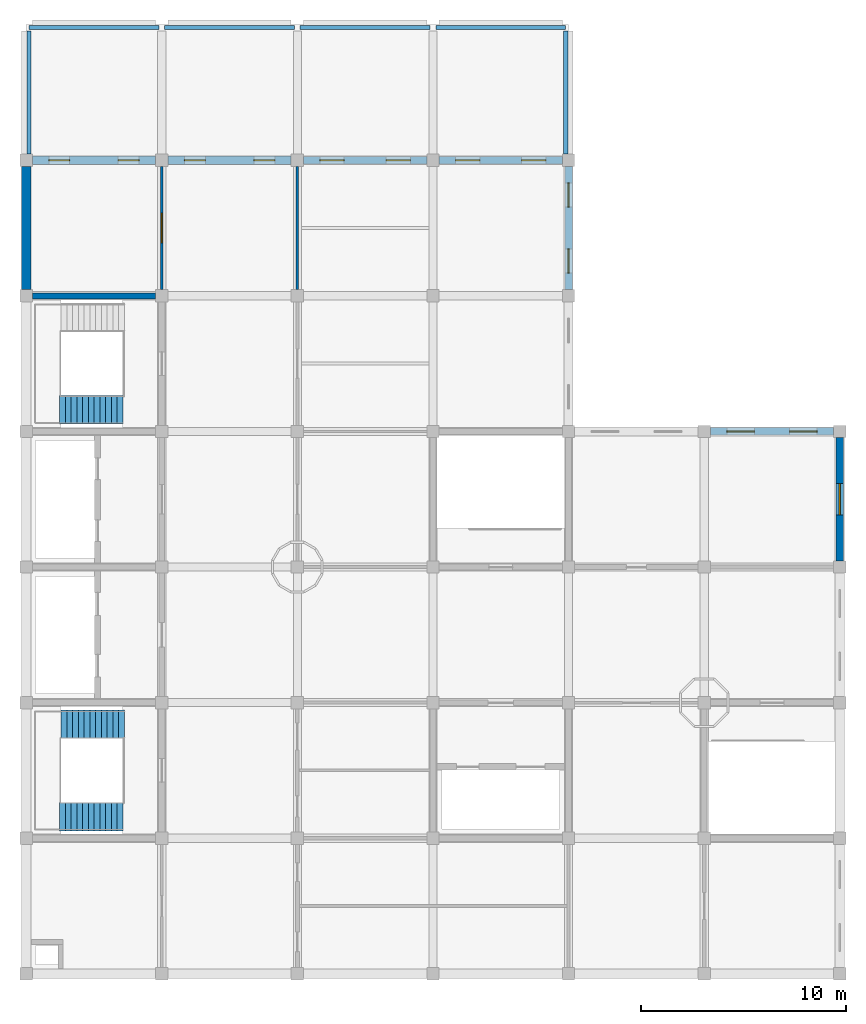
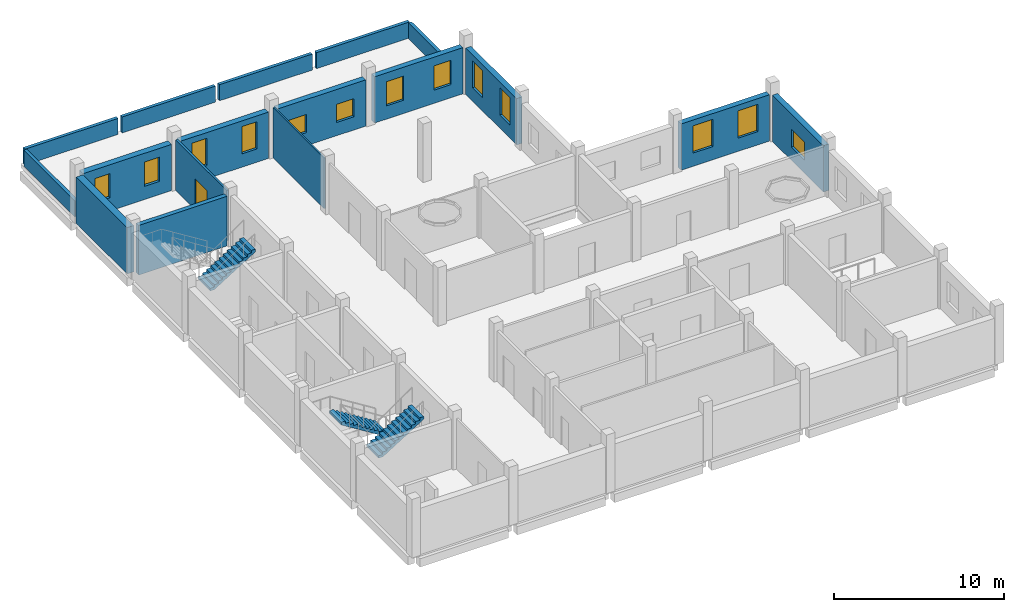
# One storey, part 4 of 6: 17 walls, 13 windows, 3 stair flights, 1 door, 14 openings, 2 elements without a shape of their own.
"""IFC4 building model written with IfcOpenShell, lengths in metres."""

from ifc_helpers import new_model, si_unit, direction, frame, frame_2d, origin, place, context, subcontext, project, spatial, polyline, rectangle, outline, extrude, material, layer, layer_set, type_object, element, fill, aggregate, save


model = new_model("IFC4")

# Units and contexts
model_context = context("Model", 3, precision=1e-05, world=origin(), true_north=direction((0.0, 1.0)))
body_context = subcontext(model_context, "Body", "Model", "MODEL_VIEW")
ifc_project = project(units=[si_unit("LENGTHUNIT", "METRE"), si_unit("AREAUNIT", "SQUARE_METRE"), si_unit("VOLUMEUNIT", "CUBIC_METRE"), si_unit("PLANEANGLEUNIT", "RADIAN"), si_unit("MASSUNIT", "GRAM", prefix="KILO")], contexts=[model_context])

# Site, building, storey
site_placement = place(None, origin())
site = spatial("IfcSite", under=ifc_project, at=site_placement, CompositionType="ELEMENT")
building_placement = place(site_placement, origin())
building = spatial("IfcBuilding", under=site, at=building_placement, Name="Rusizi Kubbe Research Institute", CompositionType="ELEMENT")
storey_placement = place(building_placement, frame((0.0, 0.0, 69.0)))
storey = spatial("IfcBuildingStorey", under=building, at=storey_placement, Name="L16", CompositionType="ELEMENT", Elevation=69.0)

# Wall
ifc_material_1 = material(Name="Concrete C40/50", Category="concrete")
ifc_layer_1 = layer(ifc_material_1, 0.294921875)
ifc_layer_set_1 = layer_set([ifc_layer_1], Name="Concrete C40/50")
wall_type_1 = type_object("IfcWallType", Name="CRW-03", PredefinedType="SHEAR", material=ifc_layer_set_1)
wall_1_placement = place(storey_placement, frame((0.300048828125, 33.0, 0.0), z_axis=(0.0, 0.0, 1.0), x_axis=(1.0, 0.0, 0.0)))
element("IfcWall", 1, at=wall_1_placement, inside=storey, type_object=wall_type_1, Name="Stair Core Shear Wall ST2 L16 N", PredefinedType="SHEAR", context=body_context, shape_type="SweptSolid", body=[
    extrude(rectangle(XDim=6.0, YDim=0.294921875, at=frame_2d((3.0, 0.0))), origin(), (0.0, 0.0, 1.0), 3.56005859375),
])

# Wall, openings, windows
ifc_material_2 = material(Name="Volcanic Basalt Ashlar Masonry", Category="masonry")
ifc_layer_2 = layer(ifc_material_2, 0.419921875)
ifc_layer_set_2 = layer_set([ifc_layer_2], Name="Volcanic Basalt Ashlar Masonry")
wall_type_2 = type_object("IfcWallType", Name="EW-02", PredefinedType="SOLIDWALL", material=ifc_layer_set_2)
wall_2_placement = place(storey_placement, frame((0.300048828125, 39.60009765625, 0.0), z_axis=(0.0, 0.0, 1.0), x_axis=(1.0, 0.0, 0.0)))
wall_2 = element("IfcWall", 2, at=wall_2_placement, inside=storey, type_object=wall_type_2, Name="Ablaq Stone Exterior Wall L16 H0-6", PredefinedType="SOLIDWALL", context=body_context, shape_type="SweptSolid", body=[
    extrude(rectangle(XDim=6.0, YDim=0.419921875, at=frame_2d((3.0, 0.0))), origin(), (0.0, 0.0, 1.0), 3.320068359375),
])
opening_1_placement = place(wall_2_placement, frame((0.800048828125, 0.0, 0.949951171875)))
opening_1 = element("IfcOpeningElement", 3, at=opening_1_placement, cuts=wall_2, Name="Opening WN-07", PredefinedType="OPENING", context=body_context, shape_type="SweptSolid", body=[
    extrude(rectangle(XDim=1.02001953125, YDim=1.739990234375, at=frame_2d((0.510009765625, 0.8701171875))), frame((0.0, 0.219970703125, 0.0), z_axis=(0.0, -1.0, 0.0), x_axis=(1.0, 0.0, 0.0)), (0.0, 0.0, 1.0), 0.43994140625),
])
opening_2_placement = place(wall_2_placement, frame((4.179931640625, 0.0, 0.949951171875)))
opening_2 = element("IfcOpeningElement", 4, at=opening_2_placement, cuts=wall_2, Name="Opening WN-07", PredefinedType="OPENING", context=body_context, shape_type="SweptSolid", body=[
    extrude(rectangle(XDim=1.02001953125, YDim=1.739990234375, at=frame_2d((0.510009765625, 0.8701171875))), frame((0.0, 0.219970703125, 0.0), z_axis=(0.0, -1.0, 0.0), x_axis=(1.0, 0.0, 0.0)), (0.0, 0.0, 1.0), 0.43994140625),
])
ifc_material_3 = material(Name="Aluminium Frame and Solar-Control Double Glazing", Category="glass")
window_type_1 = type_object("IfcWindowType", Name="WN-07", PartitioningType="SINGLE_PANEL", PredefinedType="WINDOW", material=ifc_material_3)
window_1_placement = place(opening_1_placement, origin())
window_1 = element("IfcWindow", 5, at=window_1_placement, inside=storey, type_object=window_type_1, Name="Casement Window WN-07 L16", OverallHeight=1.739990234375, OverallWidth=1.02001953125, PartitioningType="SINGLE_PANEL", PredefinedType="WINDOW", context=body_context, shape_type="SweptSolid", body=[
    extrude(rectangle(XDim=1.02001953125, YDim=1.739990234375, at=frame_2d((0.510009765625, 0.8701171875))), frame((0.0, 0.030029296875, 0.0), z_axis=(0.0, -1.0, 0.0), x_axis=(1.0, 0.0, 0.0)), (0.0, 0.0, 1.0), 0.06005859375),
])
fill(opening_1, window_1)
window_2_placement = place(opening_2_placement, origin())
window_2 = element("IfcWindow", 6, at=window_2_placement, inside=storey, type_object=window_type_1, Name="Casement Window WN-07 L16", OverallHeight=1.739990234375, OverallWidth=1.02001953125, PartitioningType="SINGLE_PANEL", PredefinedType="WINDOW", context=body_context, shape_type="SweptSolid", body=[
    extrude(rectangle(XDim=1.02001953125, YDim=1.739990234375, at=frame_2d((0.510009765625, 0.8701171875))), frame((0.0, 0.030029296875, 0.0), z_axis=(0.0, -1.0, 0.0), x_axis=(1.0, 0.0, 0.0)), (0.0, 0.0, 1.0), 0.06005859375),
])
fill(opening_2, window_2)

ifc_material_4 = material(Name="Volcanic Basalt Ashlar Masonry", Category="masonry")
ifc_layer_3 = layer(ifc_material_4, 0.39990234375)
ifc_layer_set_3 = layer_set([ifc_layer_3], Name="Volcanic Basalt Ashlar Masonry")
wall_type_3 = type_object("IfcWallType", Name="EW-03", PredefinedType="SOLIDWALL", material=ifc_layer_set_3)
wall_3_placement = place(storey_placement, frame((6.89990234375, 39.60009765625, 0.0), z_axis=(0.0, 0.0, 1.0), x_axis=(1.0, 0.0, 0.0)))
wall_3 = element("IfcWall", 7, at=wall_3_placement, inside=storey, type_object=wall_type_3, Name="Ablaq Stone Exterior Wall L16 H1-6", PredefinedType="SOLIDWALL", context=body_context, shape_type="SweptSolid", body=[
    extrude(rectangle(XDim=6.0, YDim=0.39990234375, at=frame_2d((3.0, 0.0))), origin(), (0.0, 0.0, 1.0), 3.320068359375),
])
opening_3_placement = place(wall_3_placement, frame((0.800048828125, 0.0, 0.949951171875)))
opening_3 = element("IfcOpeningElement", 8, at=opening_3_placement, cuts=wall_3, Name="Opening WN-08", PredefinedType="OPENING", context=body_context, shape_type="SweptSolid", body=[
    extrude(rectangle(XDim=1.02001953125, YDim=1.9599609375, at=frame_2d((0.510009765625, 0.97998046875))), frame((0.0, 0.2099609375, 0.0), z_axis=(0.0, -1.0, 0.0), x_axis=(1.0, 0.0, 0.0)), (0.0, 0.0, 1.0), 0.419921875),
])
opening_4_placement = place(wall_3_placement, frame((4.179931640625, 0.0, 0.949951171875)))
opening_4 = element("IfcOpeningElement", 9, at=opening_4_placement, cuts=wall_3, Name="Opening WN-08", PredefinedType="OPENING", context=body_context, shape_type="SweptSolid", body=[
    extrude(rectangle(XDim=1.02001953125, YDim=1.9599609375, at=frame_2d((0.510009765625, 0.97998046875))), frame((0.0, 0.2099609375, 0.0), z_axis=(0.0, -1.0, 0.0), x_axis=(1.0, 0.0, 0.0)), (0.0, 0.0, 1.0), 0.419921875),
])
ifc_material_5 = material(Name="Aluminium Frame and Solar-Control Double Glazing", Category="glass")
window_type_2 = type_object("IfcWindowType", Name="WN-08", PartitioningType="SINGLE_PANEL", PredefinedType="WINDOW", material=ifc_material_5)
window_3_placement = place(opening_3_placement, origin())
window_3 = element("IfcWindow", 10, at=window_3_placement, inside=storey, type_object=window_type_2, Name="Casement Window WN-08 L16", OverallHeight=1.9599609375, OverallWidth=1.02001953125, PartitioningType="SINGLE_PANEL", PredefinedType="WINDOW", context=body_context, shape_type="SweptSolid", body=[
    extrude(rectangle(XDim=1.02001953125, YDim=1.9599609375, at=frame_2d((0.510009765625, 0.97998046875))), frame((0.0, 0.030029296875, 0.0), z_axis=(0.0, -1.0, 0.0), x_axis=(1.0, 0.0, 0.0)), (0.0, 0.0, 1.0), 0.06005859375),
])
fill(opening_3, window_3)
window_4_placement = place(opening_4_placement, origin())
window_4 = element("IfcWindow", 11, at=window_4_placement, inside=storey, type_object=window_type_2, Name="Casement Window WN-08 L16", OverallHeight=1.9599609375, OverallWidth=1.02001953125, PartitioningType="SINGLE_PANEL", PredefinedType="WINDOW", context=body_context, shape_type="SweptSolid", body=[
    extrude(rectangle(XDim=1.02001953125, YDim=1.9599609375, at=frame_2d((0.510009765625, 0.97998046875))), frame((0.0, 0.030029296875, 0.0), z_axis=(0.0, -1.0, 0.0), x_axis=(1.0, 0.0, 0.0)), (0.0, 0.0, 1.0), 0.06005859375),
])
fill(opening_4, window_4)

ifc_material_6 = material(Name="Volcanic Basalt Ashlar Masonry", Category="masonry")
ifc_layer_4 = layer(ifc_material_6, 0.385009765625)
ifc_layer_set_4 = layer_set([ifc_layer_4], Name="Volcanic Basalt Ashlar Masonry")
wall_type_4 = type_object("IfcWallType", Name="EW-04", PredefinedType="SOLIDWALL", material=ifc_layer_set_4)
wall_4_placement = place(storey_placement, frame((13.5, 39.60009765625, 0.0), z_axis=(0.0, 0.0, 1.0), x_axis=(1.0, 0.0, 0.0)))
wall_4 = element("IfcWall", 12, at=wall_4_placement, inside=storey, type_object=wall_type_4, Name="Ablaq Stone Exterior Wall L16 H2-6", PredefinedType="SOLIDWALL", context=body_context, shape_type="SweptSolid", body=[
    extrude(rectangle(XDim=6.0, YDim=0.385009765625, at=frame_2d((3.0, 0.0))), origin(), (0.0, 0.0, 1.0), 3.320068359375),
])
opening_5_placement = place(wall_4_placement, frame((0.800048828125, 0.0, 0.949951171875)))
opening_5 = element("IfcOpeningElement", 13, at=opening_5_placement, cuts=wall_4, Name="Opening WN-09", PredefinedType="OPENING", context=body_context, shape_type="SweptSolid", body=[
    extrude(rectangle(XDim=1.179931640625, YDim=1.300048828125, at=frame_2d((0.58984375, 0.64990234375))), frame((0.0, 0.202392578125, 0.0), z_axis=(0.0, -1.0, 0.0), x_axis=(1.0, 0.0, 0.0)), (0.0, 0.0, 1.0), 0.405029296875),
])
opening_6_placement = place(wall_4_placement, frame((4.02001953125, 0.0, 0.949951171875)))
opening_6 = element("IfcOpeningElement", 14, at=opening_6_placement, cuts=wall_4, Name="Opening WN-09", PredefinedType="OPENING", context=body_context, shape_type="SweptSolid", body=[
    extrude(rectangle(XDim=1.179931640625, YDim=1.300048828125, at=frame_2d((0.58984375, 0.64990234375))), frame((0.0, 0.202392578125, 0.0), z_axis=(0.0, -1.0, 0.0), x_axis=(1.0, 0.0, 0.0)), (0.0, 0.0, 1.0), 0.405029296875),
])
ifc_material_7 = material(Name="Aluminium Frame and Solar-Control Double Glazing", Category="glass")
window_type_3 = type_object("IfcWindowType", Name="WN-09", PartitioningType="SINGLE_PANEL", PredefinedType="WINDOW", material=ifc_material_7)
window_5_placement = place(opening_5_placement, origin())
window_5 = element("IfcWindow", 15, at=window_5_placement, inside=storey, type_object=window_type_3, Name="Casement Window WN-09 L16", OverallHeight=1.300048828125, OverallWidth=1.179931640625, PartitioningType="SINGLE_PANEL", PredefinedType="WINDOW", context=body_context, shape_type="SweptSolid", body=[
    extrude(rectangle(XDim=1.179931640625, YDim=1.300048828125, at=frame_2d((0.58984375, 0.64990234375))), frame((0.0, 0.030029296875, 0.0), z_axis=(0.0, -1.0, 0.0), x_axis=(1.0, 0.0, 0.0)), (0.0, 0.0, 1.0), 0.06005859375),
])
fill(opening_5, window_5)
window_6_placement = place(opening_6_placement, origin())
window_6 = element("IfcWindow", 16, at=window_6_placement, inside=storey, type_object=window_type_3, Name="Casement Window WN-09 L16", OverallHeight=1.300048828125, OverallWidth=1.179931640625, PartitioningType="SINGLE_PANEL", PredefinedType="WINDOW", context=body_context, shape_type="SweptSolid", body=[
    extrude(rectangle(XDim=1.179931640625, YDim=1.300048828125, at=frame_2d((0.58984375, 0.64990234375))), frame((0.0, 0.030029296875, 0.0), z_axis=(0.0, -1.0, 0.0), x_axis=(1.0, 0.0, 0.0)), (0.0, 0.0, 1.0), 0.06005859375),
])
fill(opening_6, window_6)

ifc_material_8 = material(Name="Volcanic Basalt Ashlar Masonry", Category="masonry")
ifc_layer_5 = layer(ifc_material_8, 0.3701171875)
ifc_layer_set_5 = layer_set([ifc_layer_5], Name="Volcanic Basalt Ashlar Masonry")
wall_type_5 = type_object("IfcWallType", Name="EW-05", PredefinedType="SOLIDWALL", material=ifc_layer_set_5)
wall_5_placement = place(storey_placement, frame((20.10009765625, 39.60009765625, 0.0), z_axis=(0.0, 0.0, 1.0), x_axis=(1.0, 0.0, 0.0)))
wall_5 = element("IfcWall", 17, at=wall_5_placement, inside=storey, type_object=wall_type_5, Name="Ablaq Stone Exterior Wall L16 H3-6", PredefinedType="SOLIDWALL", context=body_context, shape_type="SweptSolid", body=[
    extrude(rectangle(XDim=6.0, YDim=0.3701171875, at=frame_2d((3.0, 0.0))), origin(), (0.0, 0.0, 1.0), 3.320068359375),
])
opening_7_placement = place(wall_5_placement, frame((0.800048828125, 0.0, 0.949951171875)))
opening_7 = element("IfcOpeningElement", 18, at=opening_7_placement, cuts=wall_5, Name="Opening WN-11", PredefinedType="OPENING", context=body_context, shape_type="SweptSolid", body=[
    extrude(rectangle(XDim=1.179931640625, YDim=1.739990234375, at=frame_2d((0.58984375, 0.8701171875))), frame((0.0, 0.195068359375, 0.0), z_axis=(0.0, -1.0, 0.0), x_axis=(1.0, 0.0, 0.0)), (0.0, 0.0, 1.0), 0.39013671875),
])
opening_8_placement = place(wall_5_placement, frame((4.02001953125, 0.0, 0.949951171875)))
opening_8 = element("IfcOpeningElement", 19, at=opening_8_placement, cuts=wall_5, Name="Opening WN-11", PredefinedType="OPENING", context=body_context, shape_type="SweptSolid", body=[
    extrude(rectangle(XDim=1.179931640625, YDim=1.739990234375, at=frame_2d((0.58984375, 0.8701171875))), frame((0.0, 0.195068359375, 0.0), z_axis=(0.0, -1.0, 0.0), x_axis=(1.0, 0.0, 0.0)), (0.0, 0.0, 1.0), 0.39013671875),
])
ifc_material_9 = material(Name="Aluminium Frame and Solar-Control Double Glazing", Category="glass")
window_type_4 = type_object("IfcWindowType", Name="WN-11", PartitioningType="SINGLE_PANEL", PredefinedType="WINDOW", material=ifc_material_9)
window_7_placement = place(opening_7_placement, origin())
window_7 = element("IfcWindow", 20, at=window_7_placement, inside=storey, type_object=window_type_4, Name="Casement Window WN-11 L16", OverallHeight=1.739990234375, OverallWidth=1.179931640625, PartitioningType="SINGLE_PANEL", PredefinedType="WINDOW", context=body_context, shape_type="SweptSolid", body=[
    extrude(rectangle(XDim=1.179931640625, YDim=1.739990234375, at=frame_2d((0.58984375, 0.8701171875))), frame((0.0, 0.030029296875, 0.0), z_axis=(0.0, -1.0, 0.0), x_axis=(1.0, 0.0, 0.0)), (0.0, 0.0, 1.0), 0.06005859375),
])
fill(opening_7, window_7)
window_8_placement = place(opening_8_placement, origin())
window_8 = element("IfcWindow", 21, at=window_8_placement, inside=storey, type_object=window_type_4, Name="Casement Window WN-11 L16", OverallHeight=1.739990234375, OverallWidth=1.179931640625, PartitioningType="SINGLE_PANEL", PredefinedType="WINDOW", context=body_context, shape_type="SweptSolid", body=[
    extrude(rectangle(XDim=1.179931640625, YDim=1.739990234375, at=frame_2d((0.58984375, 0.8701171875))), frame((0.0, 0.030029296875, 0.0), z_axis=(0.0, -1.0, 0.0), x_axis=(1.0, 0.0, 0.0)), (0.0, 0.0, 1.0), 0.06005859375),
])
fill(opening_8, window_8)

wall_6_placement = place(storey_placement, frame((26.39990234375, 33.300048828125, 0.0), z_axis=(0.0, 0.0, 1.0), x_axis=(0.0, 1.0, 0.0)))
wall_6 = element("IfcWall", 22, at=wall_6_placement, inside=storey, type_object=wall_type_5, Name="Ablaq Stone Exterior Wall L16 V4-5", PredefinedType="SOLIDWALL", context=body_context, shape_type="SweptSolid", body=[
    extrude(rectangle(XDim=6.0, YDim=0.3701171875, at=frame_2d((3.0, 0.0))), origin(), (0.0, 0.0, 1.0), 3.320068359375),
])
opening_9_placement = place(wall_6_placement, frame((0.800048828125, 0.0, 0.949951171875)))
opening_9 = element("IfcOpeningElement", 23, at=opening_9_placement, cuts=wall_6, Name="Opening WN-12", PredefinedType="OPENING", context=body_context, shape_type="SweptSolid", body=[
    extrude(rectangle(XDim=1.179931640625, YDim=1.9599609375, at=frame_2d((0.58984375, 0.97998046875))), frame((0.0, 0.195068359375, 0.0), z_axis=(0.0, -1.0, 0.0), x_axis=(1.0, 0.0, 0.0)), (0.0, 0.0, 1.0), 0.39013671875),
])
opening_10_placement = place(wall_6_placement, frame((4.02001953125, 0.0, 0.949951171875)))
opening_10 = element("IfcOpeningElement", 24, at=opening_10_placement, cuts=wall_6, Name="Opening WN-12", PredefinedType="OPENING", context=body_context, shape_type="SweptSolid", body=[
    extrude(rectangle(XDim=1.179931640625, YDim=1.9599609375, at=frame_2d((0.58984375, 0.97998046875))), frame((0.0, 0.195068359375, 0.0), z_axis=(0.0, -1.0, 0.0), x_axis=(1.0, 0.0, 0.0)), (0.0, 0.0, 1.0), 0.39013671875),
])
ifc_material_10 = material(Name="Aluminium Frame and Solar-Control Double Glazing", Category="glass")
window_type_5 = type_object("IfcWindowType", Name="WN-12", PartitioningType="SINGLE_PANEL", PredefinedType="WINDOW", material=ifc_material_10)
window_9_placement = place(opening_9_placement, origin())
window_9 = element("IfcWindow", 25, at=window_9_placement, inside=storey, type_object=window_type_5, Name="Casement Window WN-12 L16", OverallHeight=1.9599609375, OverallWidth=1.179931640625, PartitioningType="SINGLE_PANEL", PredefinedType="WINDOW", context=body_context, shape_type="SweptSolid", body=[
    extrude(rectangle(XDim=1.179931640625, YDim=1.9599609375, at=frame_2d((0.58984375, 0.97998046875))), frame((0.0, 0.030029296875, 0.0), z_axis=(0.0, -1.0, 0.0), x_axis=(1.0, 0.0, 0.0)), (0.0, 0.0, 1.0), 0.06005859375),
])
fill(opening_9, window_9)
window_10_placement = place(opening_10_placement, origin())
window_10 = element("IfcWindow", 26, at=window_10_placement, inside=storey, type_object=window_type_5, Name="Casement Window WN-12 L16", OverallHeight=1.9599609375, OverallWidth=1.179931640625, PartitioningType="SINGLE_PANEL", PredefinedType="WINDOW", context=body_context, shape_type="SweptSolid", body=[
    extrude(rectangle(XDim=1.179931640625, YDim=1.9599609375, at=frame_2d((0.58984375, 0.97998046875))), frame((0.0, 0.030029296875, 0.0), z_axis=(0.0, -1.0, 0.0), x_axis=(1.0, 0.0, 0.0)), (0.0, 0.0, 1.0), 0.06005859375),
])
fill(opening_10, window_10)

wall_7_placement = place(storey_placement, frame((33.300048828125, 26.39990234375, 0.0), z_axis=(0.0, 0.0, 1.0), x_axis=(1.0, 0.0, 0.0)))
wall_7 = element("IfcWall", 27, at=wall_7_placement, inside=storey, type_object=wall_type_5, Name="Ablaq Stone Exterior Wall L16 H5-4", PredefinedType="SOLIDWALL", context=body_context, shape_type="SweptSolid", body=[
    extrude(rectangle(XDim=6.0, YDim=0.3701171875, at=frame_2d((3.0, 0.0))), origin(), (0.0, 0.0, 1.0), 3.320068359375),
])
opening_11_placement = place(wall_7_placement, frame((0.800048828125, 0.0, 0.949951171875)))
opening_11 = element("IfcOpeningElement", 28, at=opening_11_placement, cuts=wall_7, Name="Opening WN-16", PredefinedType="OPENING", context=body_context, shape_type="SweptSolid", body=[
    extrude(rectangle(XDim=1.340087890625, YDim=1.9599609375, at=frame_2d((0.669921875, 0.97998046875))), frame((0.0, 0.195068359375, 0.0), z_axis=(0.0, -1.0, 0.0), x_axis=(1.0, 0.0, 0.0)), (0.0, 0.0, 1.0), 0.39013671875),
])
opening_12_placement = place(wall_7_placement, frame((3.860107421875, 0.0, 0.949951171875)))
opening_12 = element("IfcOpeningElement", 29, at=opening_12_placement, cuts=wall_7, Name="Opening WN-16", PredefinedType="OPENING", context=body_context, shape_type="SweptSolid", body=[
    extrude(rectangle(XDim=1.340087890625, YDim=1.9599609375, at=frame_2d((0.669921875, 0.97998046875))), frame((0.0, 0.195068359375, 0.0), z_axis=(0.0, -1.0, 0.0), x_axis=(1.0, 0.0, 0.0)), (0.0, 0.0, 1.0), 0.39013671875),
])
ifc_material_11 = material(Name="Aluminium Frame and Solar-Control Double Glazing", Category="glass")
window_type_6 = type_object("IfcWindowType", Name="WN-16", PartitioningType="SINGLE_PANEL", PredefinedType="WINDOW", material=ifc_material_11)
window_11_placement = place(opening_11_placement, origin())
window_11 = element("IfcWindow", 30, at=window_11_placement, inside=storey, type_object=window_type_6, Name="Casement Window WN-16 L16", OverallHeight=1.9599609375, OverallWidth=1.340087890625, PartitioningType="SINGLE_PANEL", PredefinedType="WINDOW", context=body_context, shape_type="SweptSolid", body=[
    extrude(rectangle(XDim=1.340087890625, YDim=1.9599609375, at=frame_2d((0.669921875, 0.97998046875))), frame((0.0, 0.030029296875, 0.0), z_axis=(0.0, -1.0, 0.0), x_axis=(1.0, 0.0, 0.0)), (0.0, 0.0, 1.0), 0.06005859375),
])
fill(opening_11, window_11)
window_12_placement = place(opening_12_placement, origin())
window_12 = element("IfcWindow", 31, at=window_12_placement, inside=storey, type_object=window_type_6, Name="Casement Window WN-16 L16", OverallHeight=1.9599609375, OverallWidth=1.340087890625, PartitioningType="SINGLE_PANEL", PredefinedType="WINDOW", context=body_context, shape_type="SweptSolid", body=[
    extrude(rectangle(XDim=1.340087890625, YDim=1.9599609375, at=frame_2d((0.669921875, 0.97998046875))), frame((0.0, 0.030029296875, 0.0), z_axis=(0.0, -1.0, 0.0), x_axis=(1.0, 0.0, 0.0)), (0.0, 0.0, 1.0), 0.06005859375),
])
fill(opening_12, window_12)

# Wall, opening, window
wall_8_placement = place(storey_placement, frame((39.60009765625, 20.10009765625, 0.0), z_axis=(0.0, 0.0, 1.0), x_axis=(0.0, 1.0, 0.0)))
wall_8 = element("IfcWall", 32, at=wall_8_placement, inside=storey, type_object=wall_type_5, Name="Ablaq Stone Exterior Wall L16 V6-3", PredefinedType="SOLIDWALL", context=body_context, shape_type="SweptSolid", body=[
    extrude(rectangle(XDim=6.0, YDim=0.3701171875, at=frame_2d((3.0, 0.0))), origin(), (0.0, 0.0, 1.0), 3.320068359375),
])
opening_13_placement = place(wall_8_placement, frame((2.239990234375, 0.0, 0.949951171875)))
opening_13 = element("IfcOpeningElement", 33, at=opening_13_placement, cuts=wall_8, Name="Opening WN-17", PredefinedType="OPENING", context=body_context, shape_type="SweptSolid", body=[
    extrude(rectangle(XDim=1.52001953125, YDim=1.300048828125, at=frame_2d((0.760009765625, 0.64990234375))), frame((0.0, 0.195068359375, 0.0), z_axis=(0.0, -1.0, 0.0), x_axis=(1.0, 0.0, 0.0)), (0.0, 0.0, 1.0), 0.39013671875),
])
ifc_material_12 = material(Name="Aluminium Frame and Solar-Control Double Glazing", Category="glass")
window_type_7 = type_object("IfcWindowType", Name="WN-17", PartitioningType="DOUBLE_PANEL_VERTICAL", PredefinedType="WINDOW", material=ifc_material_12)
window_13_placement = place(opening_13_placement, origin())
window_13 = element("IfcWindow", 34, at=window_13_placement, inside=storey, type_object=window_type_7, Name="Casement Window WN-17 L16", OverallHeight=1.300048828125, OverallWidth=1.52001953125, PartitioningType="DOUBLE_PANEL_VERTICAL", PredefinedType="WINDOW", context=body_context, shape_type="SweptSolid", body=[
    extrude(rectangle(XDim=1.52001953125, YDim=1.300048828125, at=frame_2d((0.760009765625, 0.64990234375))), frame((0.0, 0.030029296875, 0.0), z_axis=(0.0, -1.0, 0.0), x_axis=(1.0, 0.0, 0.0)), (0.0, 0.0, 1.0), 0.06005859375),
])
fill(opening_13, window_13)

# Wall, opening, door
ifc_material_13 = material(Name="Write-up Glazed Acoustic Partition", Category="masonry")
ifc_layer_6 = layer(ifc_material_13, 0.139892578125)
ifc_layer_set_6 = layer_set([ifc_layer_6], Name="Write-up Glazed Acoustic Partition")
wall_type_6 = type_object("IfcWallType", Name="IW-05", PredefinedType="PARTITIONING", material=ifc_layer_set_6)
wall_9_placement = place(storey_placement, frame((6.60009765625, 33.300048828125, 0.0), z_axis=(0.0, 0.0, 1.0), x_axis=(0.0, 1.0, 0.0)))
wall_9 = element("IfcWall", 35, at=wall_9_placement, inside=storey, type_object=wall_type_6, Name="Interior Partition Wall L16 V1-5", PredefinedType="PARTITIONING", context=body_context, shape_type="SweptSolid", body=[
    extrude(rectangle(XDim=6.0, YDim=0.139892578125, at=frame_2d((3.0, 0.0))), origin(), (0.0, 0.0, 1.0), 3.6201171875),
])
opening_14_placement = place(wall_9_placement, frame((2.2900390625, 0.0, 0.0)))
opening_14 = element("IfcOpeningElement", 36, at=opening_14_placement, cuts=wall_9, Name="Opening D-22", PredefinedType="OPENING", context=body_context, shape_type="SweptSolid", body=[
    extrude(rectangle(XDim=1.419921875, YDim=2.199951171875, at=frame_2d((0.7099609375, 1.10009765625))), frame((0.0, 0.079833984375, 0.0), z_axis=(0.0, -1.0, 0.0), x_axis=(1.0, 0.0, 0.0)), (0.0, 0.0, 1.0), 0.159912109375),
])
ifc_material_14 = material(Name="Fire-Rated Steel Frame and Acoustic Timber Leaf", Category="wood")
door_type = type_object("IfcDoorType", Name="ID-STR-142", OperationType="DOUBLE_DOOR_SINGLE_SWING", PredefinedType="DOOR", material=ifc_material_14)
door_placement = place(opening_14_placement, origin())
door = element("IfcDoor", 37, at=door_placement, inside=storey, type_object=door_type, Name="Door to Cleanroom Scrubber and AHU Plant Room (L16-PLT-05)", OperationType="DOUBLE_DOOR_SINGLE_SWING", OverallHeight=2.199951171875, OverallWidth=1.419921875, PredefinedType="DOOR", context=body_context, shape_type="SweptSolid", body=[
    extrude(rectangle(XDim=1.419921875, YDim=2.199951171875, at=frame_2d((0.7099609375, 1.10009765625))), frame((0.0, 0.02490234375, 0.0), z_axis=(0.0, -1.0, 0.0), x_axis=(1.0, 0.0, 0.0)), (0.0, 0.0, 1.0), 0.050048828125),
])
fill(opening_14, door)

# Walls
ifc_material_15 = material(Name="Sub-Suite Fire Partition", Category="masonry")
ifc_layer_7 = layer(ifc_material_15, 0.110107421875)
ifc_layer_set_7 = layer_set([ifc_layer_7], Name="Sub-Suite Fire Partition")
wall_type_7 = type_object("IfcWallType", Name="IW-07", PredefinedType="PARTITIONING", material=ifc_layer_set_7)
wall_10_placement = place(storey_placement, frame((13.199951171875, 33.300048828125, 0.0), z_axis=(0.0, 0.0, 1.0), x_axis=(0.0, 1.0, 0.0)))
element("IfcWall", 38, at=wall_10_placement, inside=storey, type_object=wall_type_7, Name="Interior Partition Wall L16 V2-5", PredefinedType="PARTITIONING", context=body_context, shape_type="SweptSolid", body=[
    extrude(rectangle(XDim=6.0, YDim=0.110107421875, at=frame_2d((3.0, 0.0))), origin(), (0.0, 0.0, 1.0), 3.6201171875),
])
ifc_material_16 = material(Name="Volcanic Basalt Ashlar Masonry", Category="masonry")
ifc_layer_8 = layer(ifc_material_16, 0.215087890625)
ifc_layer_set_8 = layer_set([ifc_layer_8], Name="Volcanic Basalt Ashlar Masonry")
wall_type_8 = type_object("IfcWallType", Name="PRP-02", PredefinedType="PARAPET", material=ifc_layer_set_8)
wall_11_placement = place(storey_placement, frame((0.139892578125, 46.06005859375, 0.0), z_axis=(0.0, 0.0, 1.0), x_axis=(1.0, 0.0, 0.0)))
element("IfcWall", 39, at=wall_11_placement, inside=storey, type_object=wall_type_8, Name="Roof Parapet Wall L16-001", PredefinedType="PARAPET", context=body_context, shape_type="SweptSolid", body=[
    extrude(rectangle(XDim=6.320068359375, YDim=0.215087890625, at=frame_2d((3.16015625, 0.0))), origin(), (0.0, 0.0, 1.0), 1.14990234375),
])
wall_12_placement = place(storey_placement, frame((0.139892578125, 39.89990234375, 0.0), z_axis=(0.0, 0.0, 1.0), x_axis=(0.0, 1.0, 0.0)))
element("IfcWall", 40, at=wall_12_placement, inside=storey, type_object=wall_type_8, Name="Roof Parapet Wall L16-002", PredefinedType="PARAPET", context=body_context, shape_type="SweptSolid", body=[
    extrude(rectangle(XDim=6.0, YDim=0.215087890625, at=frame_2d((3.0, 0.0))), origin(), (0.0, 0.0, 1.0), 1.14990234375),
])
wall_13_placement = place(storey_placement, frame((6.739990234375, 46.06005859375, 0.0), z_axis=(0.0, 0.0, 1.0), x_axis=(1.0, 0.0, 0.0)))
element("IfcWall", 41, at=wall_13_placement, inside=storey, type_object=wall_type_8, Name="Roof Parapet Wall L16-003", PredefinedType="PARAPET", context=body_context, shape_type="SweptSolid", body=[
    extrude(rectangle(XDim=6.320068359375, YDim=0.215087890625, at=frame_2d((3.16015625, 0.0))), origin(), (0.0, 0.0, 1.0), 1.14990234375),
])
wall_14_placement = place(storey_placement, frame((13.340087890625, 46.06005859375, 0.0), z_axis=(0.0, 0.0, 1.0), x_axis=(1.0, 0.0, 0.0)))
element("IfcWall", 42, at=wall_14_placement, inside=storey, type_object=wall_type_8, Name="Roof Parapet Wall L16-004", PredefinedType="PARAPET", context=body_context, shape_type="SweptSolid", body=[
    extrude(rectangle(XDim=6.31982421875, YDim=0.215087890625, at=frame_2d((3.159912109375, 0.0))), origin(), (0.0, 0.0, 1.0), 1.14990234375),
])
wall_15_placement = place(storey_placement, frame((19.93994140625, 46.06005859375, 0.0), z_axis=(0.0, 0.0, 1.0), x_axis=(1.0, 0.0, 0.0)))
element("IfcWall", 43, at=wall_15_placement, inside=storey, type_object=wall_type_8, Name="Roof Parapet Wall L16-005", PredefinedType="PARAPET", context=body_context, shape_type="SweptSolid", body=[
    extrude(rectangle(XDim=6.320068359375, YDim=0.215087890625, at=frame_2d((3.16015625, 0.0))), origin(), (0.0, 0.0, 1.0), 1.14990234375),
])
wall_16_placement = place(storey_placement, frame((26.260009765625, 39.89990234375, 0.0), z_axis=(0.0, 0.0, 1.0), x_axis=(0.0, 1.0, 0.0)))
element("IfcWall", 44, at=wall_16_placement, inside=storey, type_object=wall_type_8, Name="Roof Parapet Wall L16-006", PredefinedType="PARAPET", context=body_context, shape_type="SweptSolid", body=[
    extrude(rectangle(XDim=6.0, YDim=0.215087890625, at=frame_2d((3.0, 0.0))), origin(), (0.0, 0.0, 1.0), 1.14990234375),
])
ifc_material_17 = material(Name="Concrete C40/50", Category="concrete")
ifc_layer_9 = layer(ifc_material_17, 0.4599609375)
ifc_layer_set_9 = layer_set([ifc_layer_9], Name="Concrete C40/50")
wall_type_9 = type_object("IfcWallType", Name="PW-02", PredefinedType="SOLIDWALL", material=ifc_layer_set_9)
wall_17_placement = place(storey_placement, frame((0.0, 33.300048828125, 0.0), z_axis=(0.0, 0.0, 1.0), x_axis=(0.0, 1.0, 0.0)))
element("IfcWall", 45, at=wall_17_placement, inside=storey, type_object=wall_type_9, Name="Blind Party Wall L16 V0-5", PredefinedType="SOLIDWALL", context=body_context, shape_type="SweptSolid", body=[
    extrude(rectangle(XDim=6.0, YDim=0.4599609375, at=frame_2d((3.0, 0.0))), origin(), (0.0, 0.0, 1.0), 3.320068359375),
])

# Stair, stair flights
ifc_material_18 = material(Name="Concrete C40/50", Category="concrete")
stair_type = type_object("IfcStairType", Name="ST-H420A", PredefinedType="HALF_TURN_STAIR", material=ifc_material_18)
stair_1_placement = place(storey_placement, origin())
stair_1 = element("IfcStair", 46, at=stair_1_placement, inside=storey, type_object=stair_type, Name="Protected Exit Stair ST1 (L16)", PredefinedType="HALF_TURN_STAIR")
ifc_material_19 = material(Name="Concrete C40/50", Category="concrete")
stair_flight_type = type_object("IfcStairFlightType", Name="FL-H420A", PredefinedType="STRAIGHT", material=ifc_material_19)
stair_flight_1_placement = place(storey_placement, frame((4.780029296875, 12.14990234375, 0.0), z_axis=(0.0, 0.0, 1.0), x_axis=(-1.0, 0.0, 0.0)))
stair_flight_1 = element("IfcStairFlight", 47, at=stair_flight_1_placement, type_object=stair_flight_type, Name="ST1 flight 1", NumberOfRisers=12, NumberOfTreads=11, PredefinedType="STRAIGHT", RiserHeight=0.175, TreadLength=0.28, context=body_context, shape_type="SweptSolid", body=[
    extrude(outline(polyline([(0.0, 0.0), (0.0, 0.175048828125), (0.280029296875, 0.175048828125), (0.280029296875, 0.35009765625), (0.56005859375, 0.35009765625), (0.56005859375, 0.52490234375), (0.840087890625, 0.52490234375), (0.840087890625, 0.699951171875), (1.1201171875, 0.699951171875), (1.1201171875, 0.875), (1.39990234375, 0.875), (1.39990234375, 1.050048828125), (1.679931640625, 1.050048828125), (1.679931640625, 1.22509765625), (1.9599609375, 1.22509765625), (1.9599609375, 1.39990234375), (2.239990234375, 1.39990234375), (2.239990234375, 1.574951171875), (2.52001953125, 1.574951171875), (2.52001953125, 1.75), (2.800048828125, 1.75), (2.800048828125, 1.925048828125), (3.080078125, 1.925048828125), (3.080078125, 2.10009765625), (3.080078125, 1.736328125), (0.3017578125, 0.0), (0.0, 0.0)])), frame((0.0, 0.699951171875, 0.0), z_axis=(0.0, -1.0, 0.0), x_axis=(1.0, 0.0, 0.0)), (0.0, 0.0, 1.0), 1.39990234375),
])
stair_flight_2_placement = place(storey_placement, frame((1.6259765625, 7.64990234375, 2.10009765625), z_axis=(0.0, 0.0, 1.0), x_axis=(1.0, 0.0, 0.0)))
stair_flight_2 = element("IfcStairFlight", 48, at=stair_flight_2_placement, type_object=stair_flight_type, Name="ST1 flight 2", NumberOfRisers=12, NumberOfTreads=11, PredefinedType="STRAIGHT", RiserHeight=0.175, TreadLength=0.28, context=body_context, shape_type="SweptSolid", body=[
    extrude(outline(polyline([(0.0, 0.0), (0.0, 0.175048828125), (0.280029296875, 0.175048828125), (0.280029296875, 0.35009765625), (0.56005859375, 0.35009765625), (0.56005859375, 0.52490234375), (0.840087890625, 0.52490234375), (0.840087890625, 0.699951171875), (1.1201171875, 0.699951171875), (1.1201171875, 0.875), (1.39990234375, 0.875), (1.39990234375, 1.050048828125), (1.679931640625, 1.050048828125), (1.679931640625, 1.22509765625), (1.9599609375, 1.22509765625), (1.9599609375, 1.39990234375), (2.239990234375, 1.39990234375), (2.239990234375, 1.574951171875), (2.52001953125, 1.574951171875), (2.52001953125, 1.75), (2.800048828125, 1.75), (2.800048828125, 1.925048828125), (3.080078125, 1.925048828125), (3.080078125, 2.10009765625), (3.080078125, 1.736328125), (0.3017578125, 0.0), (0.0, 0.0)])), frame((0.0, 0.699951171875, 0.0), z_axis=(0.0, -1.0, 0.0), x_axis=(1.0, 0.0, 0.0)), (0.0, 0.0, 1.0), 1.39990234375),
])
aggregate(stair_1, [stair_flight_1, stair_flight_2])

# Stair, stair flight
stair_2_placement = place(storey_placement, origin())
stair_2 = element("IfcStair", 49, at=stair_2_placement, inside=storey, type_object=stair_type, Name="Protected Exit Stair ST2 (L16)", PredefinedType="HALF_TURN_STAIR")
stair_flight_3_placement = place(storey_placement, frame((1.6259765625, 27.449951171875, 2.10009765625), z_axis=(0.0, 0.0, 1.0), x_axis=(1.0, 0.0, 0.0)))
stair_flight_3 = element("IfcStairFlight", 50, at=stair_flight_3_placement, type_object=stair_flight_type, Name="ST2 flight 2", NumberOfRisers=12, NumberOfTreads=11, PredefinedType="STRAIGHT", RiserHeight=0.175, TreadLength=0.28, context=body_context, shape_type="SweptSolid", body=[
    extrude(outline(polyline([(0.0, 0.0), (0.0, 0.175048828125), (0.280029296875, 0.175048828125), (0.280029296875, 0.35009765625), (0.56005859375, 0.35009765625), (0.56005859375, 0.52490234375), (0.840087890625, 0.52490234375), (0.840087890625, 0.699951171875), (1.1201171875, 0.699951171875), (1.1201171875, 0.875), (1.39990234375, 0.875), (1.39990234375, 1.050048828125), (1.679931640625, 1.050048828125), (1.679931640625, 1.22509765625), (1.9599609375, 1.22509765625), (1.9599609375, 1.39990234375), (2.239990234375, 1.39990234375), (2.239990234375, 1.574951171875), (2.52001953125, 1.574951171875), (2.52001953125, 1.75), (2.800048828125, 1.75), (2.800048828125, 1.925048828125), (3.080078125, 1.925048828125), (3.080078125, 2.10009765625), (3.080078125, 1.736328125), (0.3017578125, 0.0), (0.0, 0.0)])), frame((0.0, 0.699951171875, 0.0), z_axis=(0.0, -1.0, 0.0), x_axis=(1.0, 0.0, 0.0)), (0.0, 0.0, 1.0), 1.39990234375),
])
aggregate(stair_2, [stair_flight_3])

save(model, "model.ifc")
